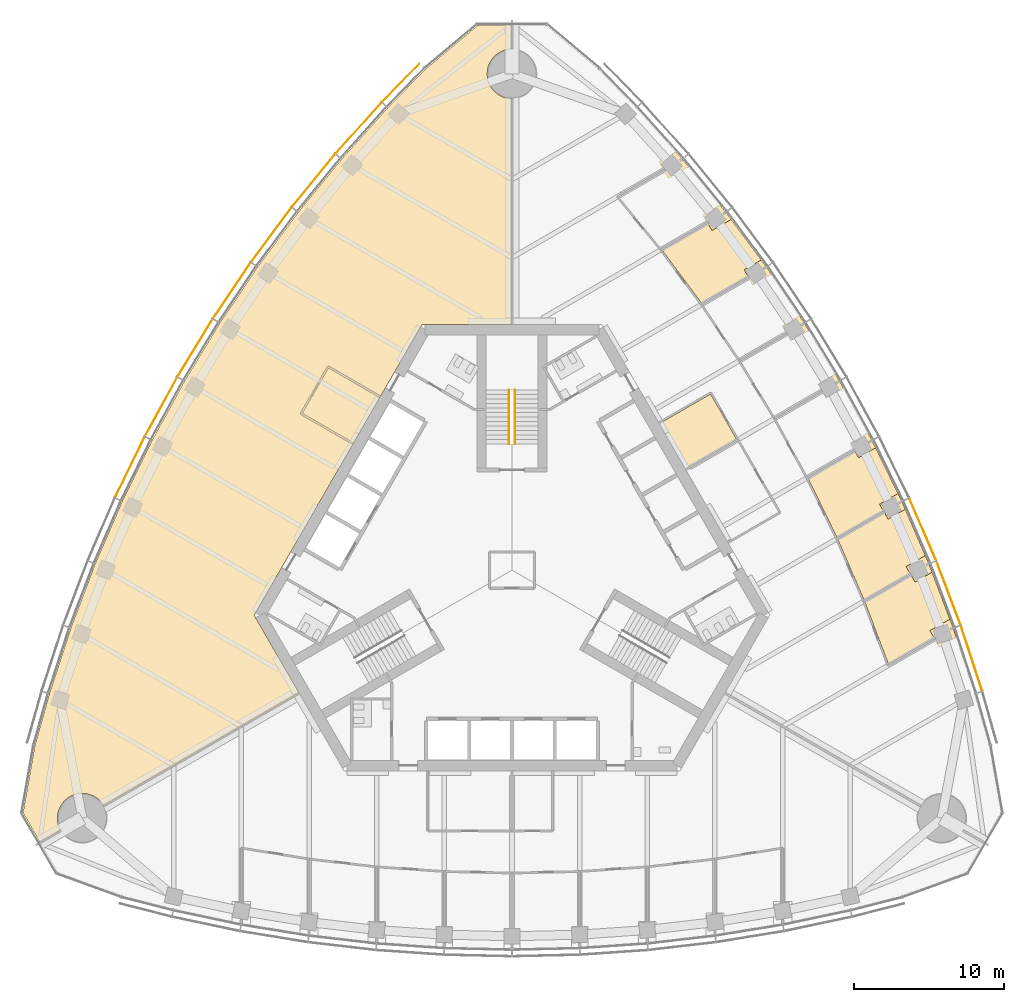
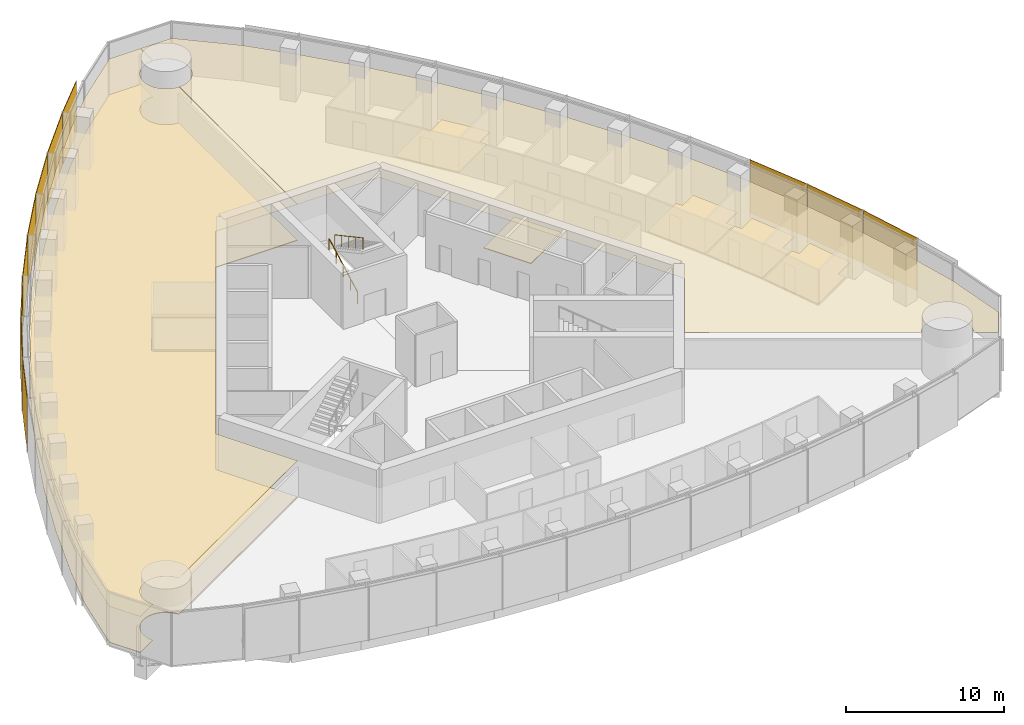
# One storey, part 16 of 19: 11 shading devices, 9 coverings, 2 railings.
"""IFC4 building model written with IfcOpenShell, lengths in metres."""

from ifc_helpers import new_model, si_unit, direction, frame, origin, origin_2d, place, context, subcontext, project, spatial, polyline, rectangle, circle, outline, extrude, material, layer, layer_set, type_object, element, save


model = new_model("IFC4")

# Units and contexts
model_context = context("Model", 3, precision=1e-05, world=origin(), true_north=direction((0.0, 1.0)))
body_context = subcontext(model_context, "Body", "Model", "MODEL_VIEW")
ifc_project = project(units=[si_unit("LENGTHUNIT", "METRE"), si_unit("AREAUNIT", "SQUARE_METRE"), si_unit("VOLUMEUNIT", "CUBIC_METRE"), si_unit("PLANEANGLEUNIT", "RADIAN"), si_unit("MASSUNIT", "GRAM", prefix="KILO")], contexts=[model_context])

# Site, building, storey
site_placement = place(None, origin())
site = spatial("IfcSite", under=ifc_project, at=site_placement, CompositionType="ELEMENT")
building_placement = place(site_placement, origin())
building = spatial("IfcBuilding", under=site, at=building_placement, Name="Trefoil Bronze Tower", CompositionType="ELEMENT")
storey_placement = place(building_placement, frame((0.0, 0.0, 235.89990234375)))
storey = spatial("IfcBuildingStorey", under=building, at=storey_placement, Name="L54", CompositionType="ELEMENT", Elevation=235.89990234375)

# Shading devices
ifc_material_1 = material(Name="Perforated bronze sheet", Category="bronze")
ifc_layer_1 = layer(ifc_material_1, 0.0400390625)
ifc_layer_set_1 = layer_set([ifc_layer_1], Name="Bronze solar screen panel")
shading_device_type = type_object("IfcShadingDeviceType", Name="Bronze solar screen panel", PredefinedType="SHUTTER", material=ifc_layer_set_1)
shading_device_1_placement = place(storey_placement, frame((30.5634765625, -5.86572265625, 0.050048828125), z_axis=(0.0, 0.0, 1.0), x_axis=(-0.310148591821, 0.950688093431, 0.0)))
element("IfcShadingDevice", 1, at=shading_device_1_placement, inside=storey, type_object=shading_device_type, Name="Solar screen CW-A L54 F2 bay 2", PredefinedType="SHUTTER", context=body_context, shape_type="SweptSolid", body=[
    extrude(rectangle(XDim=4.5693359375, YDim=0.0400390625, at=origin_2d()), origin(), (0.0, 0.0, 1.0), 4.10009765625),
])
shading_device_2_placement = place(storey_placement, frame((29.0341796875, -1.52392578125, 0.050048828125), z_axis=(0.0, 0.0, 1.0), x_axis=(-0.354233936517, 0.935156841508, 0.0)))
element("IfcShadingDevice", 2, at=shading_device_2_placement, inside=storey, type_object=shading_device_type, Name="Solar screen CW-A L54 F2 bay 3", PredefinedType="SHUTTER", context=body_context, shape_type="SweptSolid", body=[
    extrude(rectangle(XDim=4.529296875, YDim=0.0400390625, at=origin_2d()), origin(), (0.0, 0.0, 1.0), 4.10009765625),
])
shading_device_3_placement = place(storey_placement, frame((27.317626953125, 2.709716796875, 0.050048828125), z_axis=(0.0, 0.0, 1.0), x_axis=(-0.397220305764, 0.917723285467, 0.0)))
element("IfcShadingDevice", 3, at=shading_device_3_placement, inside=storey, type_object=shading_device_type, Name="Solar screen CW-A L54 F2 bay 4", PredefinedType="SHUTTER", context=body_context, shape_type="SweptSolid", body=[
    extrude(rectangle(XDim=4.5, YDim=0.0400390625, at=origin_2d()), origin(), (0.0, 0.0, 1.0), 4.10009765625),
])
shading_device_4_placement = place(storey_placement, frame((-7.40478515625, 32.40380859375, 0.050048828125), z_axis=(0.0, 0.0, 1.0), x_axis=(-0.698651812425, -0.715461840349, 0.0)))
element("IfcShadingDevice", 4, at=shading_device_4_placement, inside=storey, type_object=shading_device_type, Name="Solar screen CW-A L54 F3 bay 1", PredefinedType="SHUTTER", context=body_context, shape_type="SweptSolid", body=[
    extrude(rectangle(XDim=3.53369140625, YDim=0.0400390625, at=origin_2d()), origin(), (0.0, 0.0, 1.0), 4.10009765625),
])
shading_device_5_placement = place(storey_placement, frame((-10.20166015625, 29.401611328125, 0.050048828125), z_axis=(0.0, 0.0, 1.0), x_axis=(-0.668245744076, -0.743940606181, 0.0)))
element("IfcShadingDevice", 5, at=shading_device_5_placement, inside=storey, type_object=shading_device_type, Name="Solar screen CW-A L54 F3 bay 2", PredefinedType="SHUTTER", context=body_context, shape_type="SweptSolid", body=[
    extrude(rectangle(XDim=4.5693359375, YDim=0.0400390625, at=origin_2d()), origin(), (0.0, 0.0, 1.0), 4.10009765625),
])
shading_device_6_placement = place(storey_placement, frame((-13.197509765625, 25.90625, 0.050048828125), z_axis=(0.0, 0.0, 1.0), x_axis=(-0.63275261301, -0.774354008661, 0.0)))
element("IfcShadingDevice", 6, at=shading_device_6_placement, inside=storey, type_object=shading_device_type, Name="Solar screen CW-A L54 F3 bay 3", PredefinedType="SHUTTER", context=body_context, shape_type="SweptSolid", body=[
    extrude(rectangle(XDim=4.529296875, YDim=0.0400390625, at=origin_2d()), origin(), (0.0, 0.0, 1.0), 4.10009765625),
])
shading_device_7_placement = place(storey_placement, frame((-16.005615234375, 22.302734375, 0.050048828125), z_axis=(0.0, 0.0, 1.0), x_axis=(-0.596161525977, -0.802864518425, 0.0)))
element("IfcShadingDevice", 7, at=shading_device_7_placement, inside=storey, type_object=shading_device_type, Name="Solar screen CW-A L54 F3 bay 4", PredefinedType="SHUTTER", context=body_context, shape_type="SweptSolid", body=[
    extrude(rectangle(XDim=4.5, YDim=0.0400390625, at=origin_2d()), origin(), (0.0, 0.0, 1.0), 4.10009765625),
])
shading_device_8_placement = place(storey_placement, frame((-18.6298828125, 18.59326171875, 0.050048828125), z_axis=(0.0, 0.0, 1.0), x_axis=(-0.558493494706, -0.829508900718, 0.0)))
element("IfcShadingDevice", 8, at=shading_device_8_placement, inside=storey, type_object=shading_device_type, Name="Solar screen CW-A L54 F3 bay 5", PredefinedType="SHUTTER", context=body_context, shape_type="SweptSolid", body=[
    extrude(rectangle(XDim=4.480712890625, YDim=0.0400390625, at=origin_2d()), origin(), (0.0, 0.0, 1.0), 4.10009765625),
])
for number, where, z_axis, x_axis, name in (
    (9, (-21.07275390625, 14.77880859375, 0.050048828125), (0.0, 0.0, 1.0), (-0.519762112739, -0.854311035959, 0.0), "Solar screen CW-A L54 F3 bay 6"),
    (10, (-23.3349609375, 10.860107421875, 0.050048828125), (0.0, 0.0, 1.0), (-0.479974003504, -0.877282711536, 0.0), "Solar screen CW-A L54 F3 bay 7"),
):
    element("IfcShadingDevice", number, at=place(storey_placement, frame(where, z_axis=z_axis, x_axis=x_axis)), inside=storey, type_object=shading_device_type, Name=name, PredefinedType="SHUTTER", context=body_context, shape_type="SweptSolid", body=[
        extrude(rectangle(XDim=4.47119140625, YDim=0.0400390625, at=origin_2d()), origin(), (0.0, 0.0, 1.0), 4.10009765625),
    ])
shading_device_9_placement = place(storey_placement, frame((-25.4169921875, 6.83740234375, 0.050048828125), z_axis=(0.0, 0.0, 1.0), x_axis=(-0.439129033334, -0.898424004623, 0.0)))
element("IfcShadingDevice", 11, at=shading_device_9_placement, inside=storey, type_object=shading_device_type, Name="Solar screen CW-A L54 F3 bay 8", PredefinedType="SHUTTER", context=body_context, shape_type="SweptSolid", body=[
    extrude(rectangle(XDim=4.480712890625, YDim=0.0400390625, at=origin_2d()), origin(), (0.0, 0.0, 1.0), 4.10009765625),
])

# Railings
ifc_material_2 = material(Name="Steel handrail", Category="steel")
railing_type = type_object("IfcRailingType", Name="Handrail 900", PredefinedType="HANDRAIL", material=ifc_material_2)
railing_1_placement = place(storey_placement, frame((-0.199951171875, 8.389892578125, 0.16162109375)))
element("IfcRailing", 12, at=railing_1_placement, inside=storey, type_object=railing_type, Name="Handrail ST2 flight 1 L54", PredefinedType="HANDRAIL", context=body_context, shape_type="SweptSolid", body=[
    extrude(circle(Radius=0.02392578125, at=origin_2d()), frame((0.0, 0.0, 0.8759765625), z_axis=(0.0, 0.880474934443, 0.474092701714), x_axis=(-1.0, 0.0, 0.0)), (0.0, 0.0, 1.0), 4.0888671875),
    extrude(circle(Radius=0.02099609375, at=origin_2d()), origin(), (0.0, 0.0, 1.0), 0.851806640625),
    extrude(circle(Radius=0.02099609375, at=origin_2d()), frame((0.0, 0.89990234375, 0.484619140625)), (0.0, 0.0, 1.0), 0.851806640625),
    extrude(circle(Radius=0.02099609375, at=origin_2d()), frame((0.0, 1.800048828125, 0.96923828125)), (0.0, 0.0, 1.0), 0.851806640625),
    extrude(circle(Radius=0.02099609375, at=origin_2d()), frame((0.0, 2.7001953125, 1.453857421875)), (0.0, 0.0, 1.0), 0.851806640625),
    extrude(circle(Radius=0.02099609375, at=origin_2d()), frame((0.0, 3.60009765625, 1.9384765625)), (0.0, 0.0, 1.0), 0.851806640625),
])
railing_2_placement = place(storey_placement, frame((0.199951171875, 11.989990234375, 2.26171875)))
element("IfcRailing", 13, at=railing_2_placement, inside=storey, type_object=railing_type, Name="Handrail ST2 flight 2 L54", PredefinedType="HANDRAIL", context=body_context, shape_type="SweptSolid", body=[
    extrude(circle(Radius=0.02392578125, at=origin_2d()), frame((0.0, 0.0, 0.8759765625), z_axis=(0.0, -0.880474934443, 0.474092701714), x_axis=(1.0, 0.0, 0.0)), (0.0, 0.0, 1.0), 4.0888671875),
    extrude(circle(Radius=0.02099609375, at=origin_2d()), origin(), (0.0, 0.0, 1.0), 0.851806640625),
    extrude(circle(Radius=0.02099609375, at=origin_2d()), frame((0.0, -0.89990234375, 0.484619140625)), (0.0, 0.0, 1.0), 0.851806640625),
    extrude(circle(Radius=0.02099609375, at=origin_2d()), frame((0.0, -1.800048828125, 0.96923828125)), (0.0, 0.0, 1.0), 0.851806640625),
    extrude(circle(Radius=0.02099609375, at=origin_2d()), frame((0.0, -2.7001953125, 1.453857421875)), (0.0, 0.0, 1.0), 0.851806640625),
    extrude(circle(Radius=0.02099609375, at=origin_2d()), frame((0.0, -3.60009765625, 1.9384765625)), (0.0, 0.0, 1.0), 0.851806640625),
])

# Coverings
ifc_material_3 = material(Name="Acoustic ceiling panels", Category="mineral fibre")
ifc_layer_2 = layer(ifc_material_3, 0.02001953125)
ifc_layer_set_2 = layer_set([ifc_layer_2], Name="Office ceiling 20")
covering_type_1 = type_object("IfcCoveringType", Name="Office ceiling 20", PredefinedType="CEILING", material=ifc_layer_set_2)
covering_1_placement = place(storey_placement, frame((0.0, 0.0, 2.900146484375)))
element("IfcCovering", 14, at=covering_1_placement, inside=storey, type_object=covering_type_1, Name="Ceiling L54 Open-plan office F2", PredefinedType="CEILING", context=body_context, shape_type="SweptSolid", body=[
    extrude(outline(polyline([(8.26318359375, 30.751708984375), (11.3369140625, 27.329833984375), (14.2216796875, 23.79931640625), (16.92236328125, 20.162353515625), (19.44140625, 16.420654296875), (21.781005859375, 12.5751953125), (23.94140625, 8.62646484375), (25.92236328125, 4.573974609375), (27.7216796875, 0.416748046875), (29.3369140625, -3.846923828125), (30.76318359375, -8.219482421875), (31.7265625, -11.650634765625), (32.518310546875, -16.1416015625), (31.385009765625, -18.1044921875), (30.013916015625, -17.3134765625), (30.033935546875, -17.27783203125), (30.0703125, -17.20556640625), (30.103271484375, -17.13134765625), (30.13232421875, -17.055908203125), (30.15771484375, -16.97900390625), (30.179443359375, -16.90087890625), (30.197021484375, -16.822021484375), (30.2109375, -16.7421875), (30.220947265625, -16.66162109375), (30.226806640625, -16.5810546875), (30.228759765625, -16.5), (30.226806640625, -16.4189453125), (30.220947265625, -16.33837890625), (30.2109375, -16.2578125), (30.197021484375, -16.177978515625), (30.179443359375, -16.09912109375), (30.15771484375, -16.02099609375), (30.13232421875, -15.944091796875), (30.103271484375, -15.86865234375), (30.0703125, -15.79443359375), (30.033935546875, -15.72216796875), (29.994140625, -15.651611328125), (29.95068359375, -15.583251953125), (29.904052734375, -15.51708984375), (29.854248046875, -15.453369140625), (29.801513671875, -15.391845703125), (29.74560546875, -15.333251953125), (29.68701171875, -15.27734375), (29.62548828125, -15.224609375), (29.561767578125, -15.1748046875), (29.49560546875, -15.128173828125), (29.427001953125, -15.084716796875), (29.356689453125, -15.044921875), (29.2841796875, -15.00830078125), (29.210205078125, -14.9755859375), (29.134765625, -14.946533203125), (29.057861328125, -14.9208984375), (28.979736328125, -14.8994140625), (28.900634765625, -14.881591796875), (28.82080078125, -14.867919921875), (28.740478515625, -14.85791015625), (28.659912109375, -14.85205078125), (28.578857421875, -14.85009765625), (28.497802734375, -14.85205078125), (28.4169921875, -14.85791015625), (28.336669921875, -14.867919921875), (28.2568359375, -14.881591796875), (28.177978515625, -14.8994140625), (28.099853515625, -14.9208984375), (28.02294921875, -14.946533203125), (27.947509765625, -14.9755859375), (27.873291015625, -15.00830078125), (27.801025390625, -15.044921875), (27.730712890625, -15.084716796875), (27.662109375, -15.128173828125), (27.595947265625, -15.1748046875), (27.531982421875, -15.224609375), (27.470703125, -15.27734375), (27.412109375, -15.333251953125), (27.356201171875, -15.391845703125), (27.303466796875, -15.453369140625), (27.25341796875, -15.51708984375), (27.206787109375, -15.583251953125), (27.156005859375, -15.6650390625), (14.16259765625, -8.169677734375), (17.147216796875, -3.0), (5.9755859375, 16.35009765625), (0.006103515625, 16.35009765625), (0.01171875, 31.350341796875), (0.0810546875, 31.35205078125), (0.16162109375, 31.35791015625), (0.2421875, 31.367919921875), (0.322021484375, 31.381591796875), (0.40087890625, 31.3994140625), (0.47900390625, 31.4208984375), (0.555908203125, 31.446533203125), (0.63134765625, 31.4755859375), (0.70556640625, 31.50830078125), (0.77783203125, 31.544921875), (0.848388671875, 31.584716796875), (0.916748046875, 31.628173828125), (0.98291015625, 31.6748046875), (1.046630859375, 31.724609375), (1.108154296875, 31.77734375), (1.166748046875, 31.833251953125), (1.22265625, 31.891845703125), (1.275390625, 31.953369140625), (1.3251953125, 32.01708984375), (1.371826171875, 32.083251953125), (1.415283203125, 32.151611328125), (1.455078125, 32.22216796875), (1.49169921875, 32.29443359375), (1.5244140625, 32.36865234375), (1.553466796875, 32.444091796875), (1.5791015625, 32.52099609375), (1.6005859375, 32.59912109375), (1.618408203125, 32.677978515625), (1.632080078125, 32.7578125), (1.64208984375, 32.83837890625), (1.64794921875, 32.9189453125), (1.64990234375, 33.0), (1.64794921875, 33.0810546875), (1.64208984375, 33.16162109375), (1.632080078125, 33.2421875), (1.618408203125, 33.322021484375), (1.6005859375, 33.40087890625), (1.5791015625, 33.47900390625), (1.553466796875, 33.555908203125), (1.5244140625, 33.63134765625), (1.49169921875, 33.70556640625), (1.455078125, 33.77783203125), (1.415283203125, 33.848388671875), (1.371826171875, 33.916748046875), (1.3251953125, 33.98291015625), (1.275390625, 34.046630859375), (1.22265625, 34.108154296875), (1.166748046875, 34.166748046875), (1.108154296875, 34.22265625), (1.046630859375, 34.275390625), (0.98291015625, 34.3251953125), (0.916748046875, 34.371826171875), (0.848388671875, 34.415283203125), (0.77783203125, 34.455078125), (0.70556640625, 34.49169921875), (0.63134765625, 34.5244140625), (0.555908203125, 34.553466796875), (0.47900390625, 34.5791015625), (0.40087890625, 34.6005859375), (0.322021484375, 34.618408203125), (0.2421875, 34.632080078125), (0.16162109375, 34.64208984375), (0.0810546875, 34.64794921875), (0.012939453125, 34.649658203125), (0.013671875, 36.232666015625), (2.280029296875, 36.232666015625), (5.7734375, 33.30126953125), (8.26318359375, 30.751708984375)])), origin(), (0.0, 0.0, 1.0), 0.02001953125),
])
covering_2_placement = place(storey_placement, frame((0.0, 0.0, 2.900146484375)))
element("IfcCovering", 15, at=covering_2_placement, inside=storey, type_object=covering_type_1, Name="Ceiling L54 Open-plan office F3", PredefinedType="CEILING", context=body_context, shape_type="SweptSolid", body=[
    extrude(outline(polyline([(-30.76318359375, -8.219482421875), (-29.3369140625, -3.846923828125), (-27.7216796875, 0.416748046875), (-25.92236328125, 4.573974609375), (-23.94140625, 8.62646484375), (-21.781005859375, 12.5751953125), (-19.44140625, 16.420654296875), (-16.92236328125, 20.162353515625), (-14.2216796875, 23.79931640625), (-11.3369140625, 27.329833984375), (-8.26318359375, 30.751708984375), (-5.7734375, 33.30126953125), (-2.280029296875, 36.232666015625), (-0.013671875, 36.232666015625), (-0.012939453125, 34.649658203125), (-0.0810546875, 34.64794921875), (-0.16162109375, 34.64208984375), (-0.2421875, 34.632080078125), (-0.322021484375, 34.618408203125), (-0.40087890625, 34.6005859375), (-0.47900390625, 34.5791015625), (-0.555908203125, 34.553466796875), (-0.63134765625, 34.5244140625), (-0.70556640625, 34.49169921875), (-0.77783203125, 34.455078125), (-0.848388671875, 34.415283203125), (-0.916748046875, 34.371826171875), (-0.98291015625, 34.3251953125), (-1.046630859375, 34.275390625), (-1.108154296875, 34.22265625), (-1.166748046875, 34.166748046875), (-1.22265625, 34.108154296875), (-1.275390625, 34.046630859375), (-1.3251953125, 33.98291015625), (-1.371826171875, 33.916748046875), (-1.415283203125, 33.848388671875), (-1.455078125, 33.77783203125), (-1.49169921875, 33.70556640625), (-1.5244140625, 33.63134765625), (-1.553466796875, 33.555908203125), (-1.5791015625, 33.47900390625), (-1.6005859375, 33.40087890625), (-1.618408203125, 33.322021484375), (-1.632080078125, 33.2421875), (-1.64208984375, 33.16162109375), (-1.64794921875, 33.0810546875), (-1.64990234375, 33.0), (-1.64794921875, 32.9189453125), (-1.64208984375, 32.83837890625), (-1.632080078125, 32.7578125), (-1.618408203125, 32.677978515625), (-1.6005859375, 32.59912109375), (-1.5791015625, 32.52099609375), (-1.553466796875, 32.444091796875), (-1.5244140625, 32.36865234375), (-1.49169921875, 32.29443359375), (-1.455078125, 32.22216796875), (-1.415283203125, 32.151611328125), (-1.371826171875, 32.083251953125), (-1.3251953125, 32.01708984375), (-1.275390625, 31.953369140625), (-1.22265625, 31.891845703125), (-1.166748046875, 31.833251953125), (-1.108154296875, 31.77734375), (-1.046630859375, 31.724609375), (-0.98291015625, 31.6748046875), (-0.916748046875, 31.628173828125), (-0.848388671875, 31.584716796875), (-0.77783203125, 31.544921875), (-0.70556640625, 31.50830078125), (-0.63134765625, 31.4755859375), (-0.555908203125, 31.446533203125), (-0.47900390625, 31.4208984375), (-0.40087890625, 31.3994140625), (-0.322021484375, 31.381591796875), (-0.2421875, 31.367919921875), (-0.16162109375, 31.35791015625), (-0.0810546875, 31.35205078125), (-0.01171875, 31.350341796875), (-0.006103515625, 16.35009765625), (-5.9755859375, 16.35009765625), (-17.147216796875, -3.0), (-14.16259765625, -8.169677734375), (-27.156005859375, -15.6650390625), (-27.206787109375, -15.583251953125), (-27.25341796875, -15.51708984375), (-27.303466796875, -15.453369140625), (-27.356201171875, -15.391845703125), (-27.412109375, -15.333251953125), (-27.470703125, -15.27734375), (-27.531982421875, -15.224609375), (-27.595947265625, -15.1748046875), (-27.662109375, -15.128173828125), (-27.730712890625, -15.084716796875), (-27.801025390625, -15.044921875), (-27.873291015625, -15.00830078125), (-27.947509765625, -14.9755859375), (-28.02294921875, -14.946533203125), (-28.099853515625, -14.9208984375), (-28.177978515625, -14.8994140625), (-28.2568359375, -14.881591796875), (-28.336669921875, -14.867919921875), (-28.4169921875, -14.85791015625), (-28.497802734375, -14.85205078125), (-28.578857421875, -14.85009765625), (-28.659912109375, -14.85205078125), (-28.740478515625, -14.85791015625), (-28.82080078125, -14.867919921875), (-28.900634765625, -14.881591796875), (-28.979736328125, -14.8994140625), (-29.057861328125, -14.9208984375), (-29.134765625, -14.946533203125), (-29.210205078125, -14.9755859375), (-29.2841796875, -15.00830078125), (-29.356689453125, -15.044921875), (-29.427001953125, -15.084716796875), (-29.49560546875, -15.128173828125), (-29.561767578125, -15.1748046875), (-29.62548828125, -15.224609375), (-29.68701171875, -15.27734375), (-29.74560546875, -15.333251953125), (-29.801513671875, -15.391845703125), (-29.854248046875, -15.453369140625), (-29.904052734375, -15.51708984375), (-29.95068359375, -15.583251953125), (-29.994140625, -15.651611328125), (-30.033935546875, -15.72216796875), (-30.0703125, -15.79443359375), (-30.103271484375, -15.86865234375), (-30.13232421875, -15.944091796875), (-30.15771484375, -16.02099609375), (-30.179443359375, -16.09912109375), (-30.197021484375, -16.177978515625), (-30.2109375, -16.2578125), (-30.220947265625, -16.33837890625), (-30.226806640625, -16.4189453125), (-30.228759765625, -16.5), (-30.226806640625, -16.5810546875), (-30.220947265625, -16.66162109375), (-30.2109375, -16.7421875), (-30.197021484375, -16.822021484375), (-30.179443359375, -16.90087890625), (-30.15771484375, -16.97900390625), (-30.13232421875, -17.055908203125), (-30.103271484375, -17.13134765625), (-30.0703125, -17.20556640625), (-30.033935546875, -17.27783203125), (-30.013916015625, -17.3134765625), (-31.385009765625, -18.1044921875), (-32.518310546875, -16.1416015625), (-31.7265625, -11.650634765625), (-30.76318359375, -8.219482421875)])), origin(), (0.0, 0.0, 1.0), 0.02001953125),
])
ifc_material_4 = material(Name="Raised access floor panels", Category="steel")
ifc_layer_3 = layer(ifc_material_4, 0.050048828125)
ifc_layer_set_3 = layer_set([ifc_layer_3], Name="Raised access floor 150")
covering_type_2 = type_object("IfcCoveringType", Name="Raised access floor 150", PredefinedType="FLOORING", material=ifc_layer_set_3)
covering_3_placement = place(storey_placement, frame((0.0, 0.0, 0.10009765625)))
element("IfcCovering", 16, at=covering_3_placement, inside=storey, type_object=covering_type_2, Name="Raised floor L54 Meeting room F2", PredefinedType="FLOORING", context=body_context, shape_type="SweptSolid", body=[
    extrude(outline(polyline([(9.79150390625, 9.74072265625), (13.20361328125, 11.710693359375), (14.943603515625, 8.697021484375), (11.531494140625, 6.72705078125), (9.79150390625, 9.74072265625)])), origin(), (0.0, 0.0, 1.0), 0.050048828125),
])
covering_4_placement = place(storey_placement, frame((0.0, 0.0, 0.10009765625)))
element("IfcCovering", 17, at=covering_4_placement, inside=storey, type_object=covering_type_2, Name="Raised floor L54 Office F2", PredefinedType="FLOORING", context=body_context, shape_type="SweptSolid", body=[
    extrude(outline(polyline([(16.5791015625, 20.624755859375), (15.445068359375, 19.97021484375), (15.701171875, 19.526611328125), (12.6083984375, 17.7412109375), (9.97998046875, 21.281005859375), (13.0380859375, 23.046875), (13.304931640625, 22.584716796875), (14.577880859375, 23.319580078125), (16.5791015625, 20.624755859375)])), origin(), (0.0, 0.0, 1.0), 0.050048828125),
])
covering_5_placement = place(storey_placement, frame((0.0, 0.0, 0.10009765625)))
element("IfcCovering", 18, at=covering_5_placement, inside=storey, type_object=covering_type_2, Name="Raised floor L54 Office F2", PredefinedType="FLOORING", context=body_context, shape_type="SweptSolid", body=[
    extrude(outline(polyline([(24.701171875, 3.938232421875), (21.617919921875, 2.158203125), (19.68994140625, 6.1025390625), (22.796875, 7.896240234375), (22.766845703125, 7.9482421875), (22.77197265625, 7.951416015625), (23.046875, 7.475341796875), (24.18359375, 8.131591796875), (25.67041015625, 5.089111328125), (24.445068359375, 4.381591796875), (24.701171875, 3.938232421875)])), origin(), (0.0, 0.0, 1.0), 0.050048828125),
])
covering_6_placement = place(storey_placement, frame((0.0, 0.0, 0.10009765625)))
element("IfcCovering", 19, at=covering_6_placement, inside=storey, type_object=covering_type_2, Name="Raised floor L54 Office F2", PredefinedType="FLOORING", context=body_context, shape_type="SweptSolid", body=[
    extrude(outline(polyline([(26.478271484375, -0.23193359375), (23.419921875, -1.997802734375), (21.66845703125, 2.048583984375), (24.760986328125, 3.834228515625), (25.01708984375, 3.390625), (26.151123046875, 4.04541015625), (27.484375, 0.965087890625), (26.21142578125, 0.22998046875), (26.478271484375, -0.23193359375)])), origin(), (0.0, 0.0, 1.0), 0.050048828125),
])
covering_7_placement = place(storey_placement, frame((0.0, 0.0, 0.10009765625)))
element("IfcCovering", 20, at=covering_7_placement, inside=storey, type_object=covering_type_2, Name="Raised floor L54 Office F2", PredefinedType="FLOORING", context=body_context, shape_type="SweptSolid", body=[
    extrude(outline(polyline([(28.070556640625, -4.5087890625), (25.037841796875, -6.259765625), (23.4658203125, -2.10986328125), (26.5380859375, -0.3359375), (26.804931640625, -0.7978515625), (27.934814453125, -0.1455078125), (29.116455078125, -3.265380859375), (27.793701171875, -4.029296875), (28.070556640625, -4.5087890625)])), origin(), (0.0, 0.0, 1.0), 0.050048828125),
])
covering_8_placement = place(storey_placement, frame((0.0, 0.0, 0.10009765625)))
element("IfcCovering", 21, at=covering_8_placement, inside=storey, type_object=covering_type_2, Name="Raised floor L54 Meeting room F3", PredefinedType="FLOORING", context=body_context, shape_type="SweptSolid", body=[
    extrude(outline(polyline([(-10.531494140625, 8.458984375), (-13.943603515625, 10.428955078125), (-12.20361328125, 13.44287109375), (-8.79150390625, 11.472900390625), (-10.531494140625, 8.458984375)])), origin(), (0.0, 0.0, 1.0), 0.050048828125),
])
covering_9_placement = place(storey_placement, frame((0.0, 0.0, 0.10009765625)))
element("IfcCovering", 22, at=covering_9_placement, inside=storey, type_object=covering_type_2, Name="Raised floor L54 Open-plan office F3", PredefinedType="FLOORING", context=body_context, shape_type="SweptSolid", body=[
    extrude(outline(polyline([(-32.518310546875, -16.1416015625), (-31.7265625, -11.650634765625), (-30.76318359375, -8.219482421875), (-29.3369140625, -3.846923828125), (-27.7216796875, 0.416748046875), (-25.92236328125, 4.573974609375), (-23.94140625, 8.62646484375), (-21.781005859375, 12.5751953125), (-19.44140625, 16.420654296875), (-16.92236328125, 20.162353515625), (-14.2216796875, 23.79931640625), (-11.3369140625, 27.329833984375), (-8.26318359375, 30.751708984375), (-5.7734375, 33.30126953125), (-2.280029296875, 36.232666015625), (-0.013671875, 36.232666015625), (-0.012939453125, 34.649658203125), (-0.0810546875, 34.64794921875), (-0.16162109375, 34.64208984375), (-0.2421875, 34.632080078125), (-0.322021484375, 34.618408203125), (-0.40087890625, 34.6005859375), (-0.47900390625, 34.5791015625), (-0.555908203125, 34.553466796875), (-0.63134765625, 34.5244140625), (-0.70556640625, 34.49169921875), (-0.77783203125, 34.455078125), (-0.848388671875, 34.415283203125), (-0.916748046875, 34.371826171875), (-0.98291015625, 34.3251953125), (-1.046630859375, 34.275390625), (-1.108154296875, 34.22265625), (-1.166748046875, 34.166748046875), (-1.22265625, 34.108154296875), (-1.275390625, 34.046630859375), (-1.3251953125, 33.98291015625), (-1.371826171875, 33.916748046875), (-1.415283203125, 33.848388671875), (-1.455078125, 33.77783203125), (-1.49169921875, 33.70556640625), (-1.5244140625, 33.63134765625), (-1.553466796875, 33.555908203125), (-1.5791015625, 33.47900390625), (-1.6005859375, 33.40087890625), (-1.618408203125, 33.322021484375), (-1.632080078125, 33.2421875), (-1.64208984375, 33.16162109375), (-1.64794921875, 33.0810546875), (-1.64990234375, 33.0), (-1.64794921875, 32.9189453125), (-1.64208984375, 32.83837890625), (-1.632080078125, 32.7578125), (-1.618408203125, 32.677978515625), (-1.6005859375, 32.59912109375), (-1.5791015625, 32.52099609375), (-1.553466796875, 32.444091796875), (-1.5244140625, 32.36865234375), (-1.49169921875, 32.29443359375), (-1.455078125, 32.22216796875), (-1.415283203125, 32.151611328125), (-1.371826171875, 32.083251953125), (-1.3251953125, 32.01708984375), (-1.275390625, 31.953369140625), (-1.22265625, 31.891845703125), (-1.166748046875, 31.833251953125), (-1.108154296875, 31.77734375), (-1.046630859375, 31.724609375), (-0.98291015625, 31.6748046875), (-0.916748046875, 31.628173828125), (-0.848388671875, 31.584716796875), (-0.77783203125, 31.544921875), (-0.70556640625, 31.50830078125), (-0.63134765625, 31.4755859375), (-0.555908203125, 31.446533203125), (-0.47900390625, 31.4208984375), (-0.40087890625, 31.3994140625), (-0.322021484375, 31.381591796875), (-0.2421875, 31.367919921875), (-0.16162109375, 31.35791015625), (-0.0810546875, 31.35205078125), (-0.01171875, 31.350341796875), (-0.006103515625, 16.35009765625), (-5.9755859375, 16.35009765625), (-8.7314453125, 11.57666015625), (-12.195556640625, 13.57666015625), (-12.2255859375, 13.524658203125), (-12.277587890625, 13.5546875), (-14.077392578125, 10.43701171875), (-14.025390625, 10.406982421875), (-14.055419921875, 10.35498046875), (-10.59130859375, 8.35498046875), (-17.147216796875, -3.0), (-14.16259765625, -8.169677734375), (-27.156005859375, -15.6650390625), (-27.206787109375, -15.583251953125), (-27.25341796875, -15.51708984375), (-27.303466796875, -15.453369140625), (-27.356201171875, -15.391845703125), (-27.412109375, -15.333251953125), (-27.470703125, -15.27734375), (-27.531982421875, -15.224609375), (-27.595947265625, -15.1748046875), (-27.662109375, -15.128173828125), (-27.730712890625, -15.084716796875), (-27.801025390625, -15.044921875), (-27.873291015625, -15.00830078125), (-27.947509765625, -14.9755859375), (-28.02294921875, -14.946533203125), (-28.099853515625, -14.9208984375), (-28.177978515625, -14.8994140625), (-28.2568359375, -14.881591796875), (-28.336669921875, -14.867919921875), (-28.4169921875, -14.85791015625), (-28.497802734375, -14.85205078125), (-28.578857421875, -14.85009765625), (-28.659912109375, -14.85205078125), (-28.740478515625, -14.85791015625), (-28.82080078125, -14.867919921875), (-28.900634765625, -14.881591796875), (-28.979736328125, -14.8994140625), (-29.057861328125, -14.9208984375), (-29.134765625, -14.946533203125), (-29.210205078125, -14.9755859375), (-29.2841796875, -15.00830078125), (-29.356689453125, -15.044921875), (-29.427001953125, -15.084716796875), (-29.49560546875, -15.128173828125), (-29.561767578125, -15.1748046875), (-29.62548828125, -15.224609375), (-29.68701171875, -15.27734375), (-29.74560546875, -15.333251953125), (-29.801513671875, -15.391845703125), (-29.854248046875, -15.453369140625), (-29.904052734375, -15.51708984375), (-29.95068359375, -15.583251953125), (-29.994140625, -15.651611328125), (-30.033935546875, -15.72216796875), (-30.0703125, -15.79443359375), (-30.103271484375, -15.86865234375), (-30.13232421875, -15.944091796875), (-30.15771484375, -16.02099609375), (-30.179443359375, -16.09912109375), (-30.197021484375, -16.177978515625), (-30.2109375, -16.2578125), (-30.220947265625, -16.33837890625), (-30.226806640625, -16.4189453125), (-30.228759765625, -16.5), (-30.226806640625, -16.5810546875), (-30.220947265625, -16.66162109375), (-30.2109375, -16.7421875), (-30.197021484375, -16.822021484375), (-30.179443359375, -16.90087890625), (-30.15771484375, -16.97900390625), (-30.13232421875, -17.055908203125), (-30.103271484375, -17.13134765625), (-30.0703125, -17.20556640625), (-30.033935546875, -17.27783203125), (-30.013916015625, -17.3134765625), (-31.385009765625, -18.1044921875), (-32.518310546875, -16.1416015625)])), origin(), (0.0, 0.0, 1.0), 0.050048828125),
])

save(model, "model.ifc")
